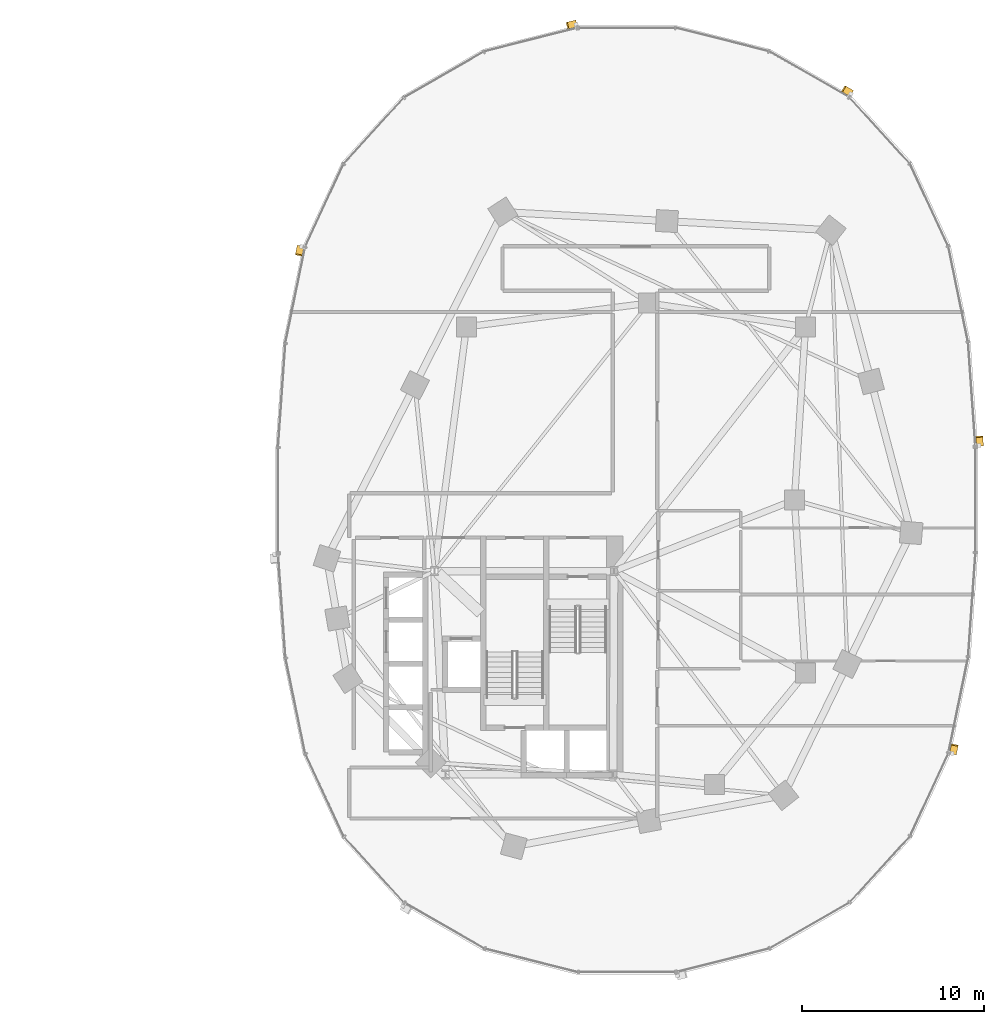
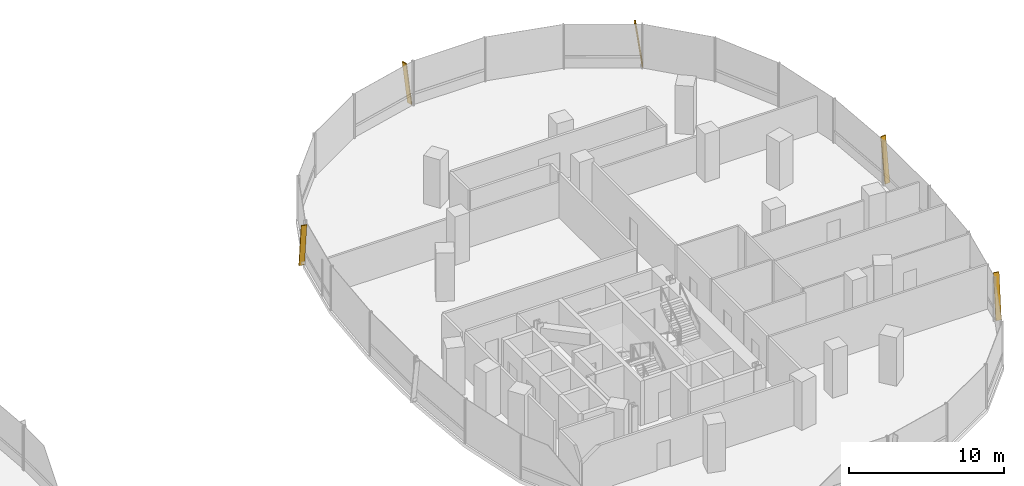
# One storey, part 21 of 21: 5 shading devices.
"""IFC4 building model written with IfcOpenShell, lengths in metres."""

from ifc_helpers import new_model, si_unit, direction, frame, origin, origin_2d, place, context, subcontext, project, spatial, rectangle, extrude, material, material_profile, profile_set, type_object, element, save


model = new_model("IFC4")

# Units and contexts
model_context = context("Model", 3, precision=1e-05, world=origin(), true_north=direction((0.0, 1.0)))
body_context = subcontext(model_context, "Body", "Model", "MODEL_VIEW")
ifc_project = project(units=[si_unit("LENGTHUNIT", "METRE"), si_unit("AREAUNIT", "SQUARE_METRE"), si_unit("VOLUMEUNIT", "CUBIC_METRE"), si_unit("PLANEANGLEUNIT", "RADIAN"), si_unit("MASSUNIT", "GRAM", prefix="KILO"), si_unit("THERMODYNAMICTEMPERATUREUNIT", "KELVIN"), si_unit("POWERUNIT", "WATT")], contexts=[model_context])

# Site, building, storey
site_placement = place(None, origin())
site = spatial("IfcSite", under=ifc_project, at=site_placement, CompositionType="ELEMENT")
building_placement = place(site_placement, origin())
building = spatial("IfcBuilding", under=site, at=building_placement, Name="Cundina Bronze Exchange", CompositionType="ELEMENT")
storey_placement = place(building_placement, frame((0.0, 0.0, 50.60009765625)))
storey = spatial("IfcBuildingStorey", under=building, at=storey_placement, Name="L12", CompositionType="ELEMENT", Elevation=50.60009765625)

# Shading devices
ifc_material = material(Name="Anodised Bronze Aluminium 6063-T6", Category="aluminium")
ifc_material_profile = material_profile(ifc_material, rectangle(XDim=0.070068359375, YDim=0.3798828125, at=origin_2d()), Name="FIN70X380", Category="aluminium")
ifc_profile_set = profile_set([ifc_material_profile], Name="Anodised Bronze Aluminium 6063-T6")
shading_device_type = type_object("IfcShadingDeviceType", Name="SHD-FIN-BRZ380", PredefinedType="USERDEFINED", material=ifc_profile_set)
for number, where, z_axis, x_axis, name in (
    (1, (51.3740234375, 2.993896484375, 0.02001953125), (-0.009645159174, 0.137059109714, 0.990515911709), (0.06953288269, -0.988072340253, 0.137398066402), "L12 Diagonal Bronze Solar Fin 1"),
    (2, (44.314208984375, 22.314208984375, 0.02001953125), (-0.119166378275, 0.06842456559, 0.990513731915), (0.85898178632, -0.493221799887, 0.137413779831), "L12 Diagonal Bronze Solar Fin 5"),
    (3, (29.212646484375, 26.138427734375, 0.02001953125), (-0.133214830938, -0.033688115694, 0.990514472221), (0.960284642503, 0.242842181368, 0.137408443412), "L12 Diagonal Bronze Solar Fin 1"),
    (4, (14.10400390625, 13.911865234375, 0.02001953125), (-0.027747134956, -0.134612045151, 0.990509815096), (0.199966585563, 0.970114971774, 0.137442010309), "L12 Diagonal Bronze Solar Fin 5"),
    (5, (49.89599609375, -13.911865234375, 0.02001953125), (0.027747134956, 0.134612045151, 0.990509815096), (-0.199966585563, -0.970114971774, 0.137442010309), "L12 Diagonal Bronze Solar Fin 5"),
):
    element("IfcShadingDevice", number, at=place(storey_placement, frame(where, z_axis=z_axis, x_axis=x_axis)), inside=storey, type_object=shading_device_type, Name=name, ObjectType="FIN", PredefinedType="USERDEFINED", context=body_context, shape_type="SweptSolid", body=[
        extrude(rectangle(XDim=0.070068359375, YDim=0.3798828125, at=origin_2d()), origin(), (0.0, 0.0, 1.0), 3.4931640625),
    ])

save(model, "model.ifc")
